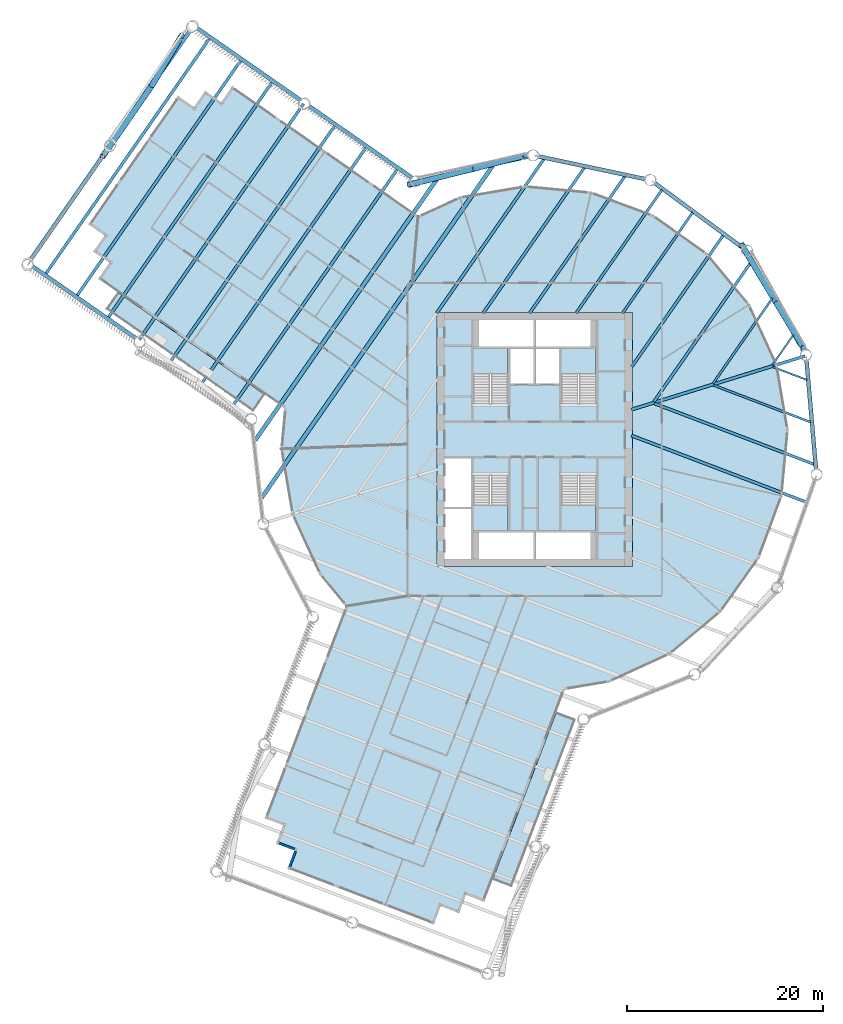
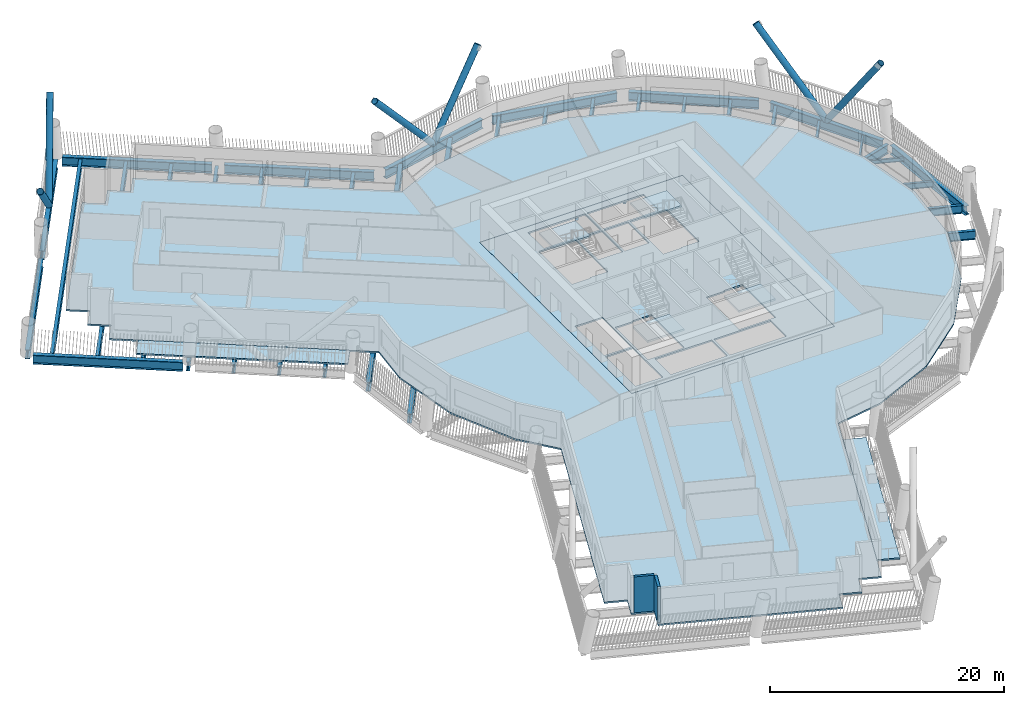
# One storey, part 2 of 23: 33 beams, 8 slabs, 6 members, 2 walls, 4 elements without a shape of their own.
"""IFC4 building model written with IfcOpenShell, lengths in metres."""

from ifc_helpers import new_model, si_unit, direction, frame, frame_2d, origin, origin_2d, place, context, subcontext, project, spatial, polyline, rectangle, hollow_circle, i_section, outline, extrude, material, layer, layer_set, material_profile, profile_set, type_object, element, aggregate, save


model = new_model("IFC4")

# Units and contexts
model_context = context("Model", 3, precision=1e-05, world=origin(), true_north=direction((0.0, 1.0)))
body_context = subcontext(model_context, "Body", "Model", "MODEL_VIEW")
ifc_project = project(units=[si_unit("LENGTHUNIT", "METRE"), si_unit("AREAUNIT", "SQUARE_METRE"), si_unit("VOLUMEUNIT", "CUBIC_METRE"), si_unit("PLANEANGLEUNIT", "RADIAN"), si_unit("MASSUNIT", "GRAM", prefix="KILO")], contexts=[model_context])

# Site, building, storey
site_placement = place(None, origin())
site = spatial("IfcSite", under=ifc_project, at=site_placement, CompositionType="ELEMENT")
building_placement = place(site_placement, origin())
building = spatial("IfcBuilding", under=site, at=building_placement, Name="Tarsis Ring Headquarters", CompositionType="ELEMENT")
storey_placement = place(building_placement, frame((0.0, 0.0, 131.800048828125)))
storey = spatial("IfcBuildingStorey", under=building, at=storey_placement, Name="L30", CompositionType="ELEMENT", Elevation=131.800048828125)

# Beams
ifc_material_1 = material(Name="Structural steel S355", Category="steel")
ifc_material_profile_1 = material_profile(ifc_material_1, i_section(OverallWidth=0.177734375, OverallDepth=0.406494140625, WebThickness=0.0078125, FlangeThickness=0.0126953125, at=origin_2d()), Name="W16x40")
ifc_profile_set_1 = profile_set([ifc_material_profile_1], Name="Structural steel S355")
beam_type_1 = type_object("IfcBeamType", Name="FB Floor beam W16x40", PredefinedType="JOIST", material=ifc_profile_set_1)
for number, where, z_axis, x_axis, name in (
    (1, (24.352294921875, 7.421875, -0.36328125), (0.934591056354, -0.355723990452, 0.0), (0.355723990452, 0.934591056354, 0.0), "Floor beam FB1"),
    (2, (26.434814453125, 10.67138671875, -0.36328125), (-0.571257560437, -0.820770856966, 0.0), (0.820770856966, -0.571257560437, 0.0), "Floor beam FB1"),
):
    element("IfcBeam", number, at=place(storey_placement, frame(where, z_axis=z_axis, x_axis=x_axis)), inside=storey, type_object=beam_type_1, Name=name, PredefinedType="JOIST", context=body_context, shape_type="SweptSolid", body=[
        extrude(i_section(OverallWidth=0.177734375, OverallDepth=0.406494140625, WebThickness=0.0078125, FlangeThickness=0.0126953125, at=origin_2d()), origin(), (0.0, 0.0, 1.0), 3.74169921875),
    ])
ifc_material_profile_2 = material_profile(ifc_material_1, i_section(OverallWidth=0.228271484375, OverallDepth=0.607177734375, WebThickness=0.01123046875, FlangeThickness=0.017333984375, at=origin_2d()), Name="W24x76")
ifc_profile_set_2 = profile_set([ifc_material_profile_2], Name="Structural steel S355")
beam_type_2 = type_object("IfcBeamType", Name="FB Floor beam W24x76", PredefinedType="JOIST", material=ifc_profile_set_2)
for number, where, z_axis, x_axis, name in (
    (3, (18.2998046875, 5.552978515625, -0.463623046875), (0.934577647601, -0.355759217175, 0.0), (0.355759217175, 0.934577647601, 0.0), "Floor beam FB4"),
    (4, (24.3125, 14.44873046875, -0.463623046875), (-0.571297489001, -0.820743065192, 0.0), (0.820743065192, -0.571297489001, 0.0), "Floor beam FB4"),
):
    element("IfcBeam", number, at=place(storey_placement, frame(where, z_axis=z_axis, x_axis=x_axis)), inside=storey, type_object=beam_type_2, Name=name, PredefinedType="JOIST", context=body_context, shape_type="SweptSolid", body=[
        extrude(i_section(OverallWidth=0.228271484375, OverallDepth=0.607177734375, WebThickness=0.01123046875, FlangeThickness=0.017333984375, at=origin_2d()), origin(), (0.0, 0.0, 1.0), 10.62109375),
    ])
ifc_material_profile_3 = material_profile(ifc_material_1, i_section(OverallWidth=0.2529296875, OverallDepth=0.67822265625, WebThickness=0.01171875, FlangeThickness=0.016357421875, at=origin_2d()), Name="W27x84")
ifc_profile_set_3 = profile_set([ifc_material_profile_3], Name="Structural steel S355")
beam_type_3 = type_object("IfcBeamType", Name="FB Floor beam W27x84", PredefinedType="JOIST", material=ifc_profile_set_3)
beam_1_placement = place(storey_placement, frame((16.163330078125, 23.221435546875, -0.499267578125), z_axis=(-0.571292386981, -0.82074661655, 0.0), x_axis=(0.82074661655, -0.571292386981, 0.0)))
element("IfcBeam", 5, at=beam_1_placement, inside=storey, type_object=beam_type_3, Name="Floor beam FB5", PredefinedType="JOIST", context=body_context, shape_type="SweptSolid", body=[
    extrude(i_section(OverallWidth=0.2529296875, OverallDepth=0.67822265625, WebThickness=0.01171875, FlangeThickness=0.016357421875, at=origin_2d()), origin(), (0.0, 0.0, 1.0), 12.5537109375),
])
ifc_material_profile_4 = material_profile(ifc_material_1, i_section(OverallWidth=0.2666015625, OverallDepth=0.7568359375, WebThickness=0.013916015625, FlangeThickness=0.019287109375, at=origin_2d()), Name="W30x108")
ifc_profile_set_4 = profile_set([ifc_material_profile_4], Name="Structural steel S355")
beam_type_4 = type_object("IfcBeamType", Name="FB Floor beam W30x108", PredefinedType="JOIST", material=ifc_profile_set_4)
beam_2_placement = place(storey_placement, frame((13.020263671875, 25.532470703125, -0.53857421875), z_axis=(-0.571292983063, -0.820746201638, 0.0), x_axis=(0.820746201638, -0.571292983063, 0.0)))
element("IfcBeam", 6, at=beam_2_placement, inside=storey, type_object=beam_type_4, Name="Floor beam FB6", PredefinedType="JOIST", context=body_context, shape_type="SweptSolid", body=[
    extrude(i_section(OverallWidth=0.2666015625, OverallDepth=0.7568359375, WebThickness=0.013916015625, FlangeThickness=0.019287109375, at=origin_2d()), origin(), (0.0, 0.0, 1.0), 15.36962890625),
])
ifc_material_profile_5 = material_profile(ifc_material_1, i_section(OverallWidth=0.2919921875, OverallDepth=0.835693359375, WebThickness=0.013916015625, FlangeThickness=0.018798828125, at=origin_2d()), Name="W33x118")
ifc_profile_set_5 = profile_set([ifc_material_profile_5], Name="Structural steel S355")
beam_type_5 = type_object("IfcBeamType", Name="FB Floor beam W33x118", PredefinedType="JOIST", material=ifc_profile_set_5)
for number, where, z_axis, x_axis, name in (
    (7, (12.2470703125, 3.68408203125, -0.577880859375), (0.93457654615, -0.355762110667, 0.0), (0.355762110667, 0.93457654615, 0.0), "Floor beam FB7"),
    (8, (22.18994140625, 18.226318359375, -0.577880859375), (-0.571290087271, -0.820748217291, 0.0), (0.820748217291, -0.571290087271, 0.0), "Floor beam FB7"),
):
    element("IfcBeam", number, at=place(storey_placement, frame(where, z_axis=z_axis, x_axis=x_axis)), inside=storey, type_object=beam_type_5, Name=name, PredefinedType="JOIST", context=body_context, shape_type="SweptSolid", body=[
        extrude(i_section(OverallWidth=0.2919921875, OverallDepth=0.835693359375, WebThickness=0.013916015625, FlangeThickness=0.018798828125, at=origin_2d()), origin(), (0.0, 0.0, 1.0), 17.500732421875),
    ])
beam_3_placement = place(storey_placement, frame((19.306396484375, 20.910400390625, -0.577880859375), z_axis=(-0.571283990198, -0.820752461187, 0.0), x_axis=(0.820752461187, -0.571283990198, 0.0)))
element("IfcBeam", 9, at=beam_3_placement, inside=storey, type_object=beam_type_5, Name="Floor beam FB7", PredefinedType="JOIST", context=body_context, shape_type="SweptSolid", body=[
    extrude(i_section(OverallWidth=0.2919921875, OverallDepth=0.835693359375, WebThickness=0.013916015625, FlangeThickness=0.018798828125, at=origin_2d()), origin(), (0.0, 0.0, 1.0), 16.390380859375),
])
beam_4_placement = place(storey_placement, frame((9.249755859375, 26.942138671875, -0.577880859375), z_axis=(-0.571292200885, -0.820746746084, 0.0), x_axis=(0.820746746084, -0.571292200885, 0.0)))
element("IfcBeam", 10, at=beam_4_placement, inside=storey, type_object=beam_type_5, Name="Floor beam FB7", PredefinedType="JOIST", context=body_context, shape_type="SweptSolid", body=[
    extrude(i_section(OverallWidth=0.2919921875, OverallDepth=0.835693359375, WebThickness=0.013916015625, FlangeThickness=0.018798828125, at=origin_2d()), origin(), (0.0, 0.0, 1.0), 17.087158203125),
])
beam_5_placement = place(storey_placement, frame((5.109619140625, 27.821044921875, -0.577880859375), z_axis=(-0.571284682225, -0.820751979501, 0.0), x_axis=(0.820751979501, -0.571284682225, 0.0)))
element("IfcBeam", 11, at=beam_5_placement, inside=storey, type_object=beam_type_5, Name="Floor beam FB7", PredefinedType="JOIST", context=body_context, shape_type="SweptSolid", body=[
    extrude(i_section(OverallWidth=0.2919921875, OverallDepth=0.835693359375, WebThickness=0.013916015625, FlangeThickness=0.018798828125, at=origin_2d()), origin(), (0.0, 0.0, 1.0), 18.15771484375),
])
ifc_material_profile_6 = material_profile(ifc_material_1, i_section(OverallWidth=0.3046875, OverallDepth=0.904296875, WebThickness=0.01513671875, FlangeThickness=0.02001953125, at=origin_2d()), Name="W36x135")
ifc_profile_set_6 = profile_set([ifc_material_profile_6], Name="Structural steel S355")
beam_type_6 = type_object("IfcBeamType", Name="FB Floor beam W36x135", PredefinedType="JOIST", material=ifc_profile_set_6)
beam_6_placement = place(storey_placement, frame((9.906494140625, 0.40185546875, -0.612060546875), z_axis=(0.934581572103, -0.355748907357, 0.0), x_axis=(0.355748907357, 0.934581572103, 0.0)))
element("IfcBeam", 12, at=beam_6_placement, inside=storey, type_object=beam_type_6, Name="Floor beam FB8", PredefinedType="JOIST", context=body_context, shape_type="SweptSolid", body=[
    extrude(i_section(OverallWidth=0.3046875, OverallDepth=0.904296875, WebThickness=0.01513671875, FlangeThickness=0.02001953125, at=origin_2d()), origin(), (0.0, 0.0, 1.0), 19.076416015625),
])
beam_7_placement = place(storey_placement, frame((0.969482421875, 28.69970703125, -0.612060546875), z_axis=(-0.571283954186, -0.820752486253, 0.0), x_axis=(0.820752486253, -0.571283954186, 0.0)))
element("IfcBeam", 13, at=beam_7_placement, inside=storey, type_object=beam_type_6, Name="Floor beam FB8", PredefinedType="JOIST", context=body_context, shape_type="SweptSolid", body=[
    extrude(i_section(OverallWidth=0.3046875, OverallDepth=0.904296875, WebThickness=0.01513671875, FlangeThickness=0.02001953125, at=origin_2d()), origin(), (0.0, 0.0, 1.0), 19.228271484375),
])
ifc_material_profile_7 = material_profile(ifc_material_1, i_section(OverallWidth=0.309814453125, OverallDepth=0.949951171875, WebThickness=0.0244140625, FlangeThickness=0.0439453125, at=origin_2d()), Name="W36x256")
ifc_profile_set_7 = profile_set([ifc_material_profile_7], Name="Structural steel S355")
beam_type_7 = type_object("IfcBeamType", Name="FB Floor beam W36x256", PredefinedType="JOIST", material=ifc_profile_set_7)
for number, where, z_axis, x_axis, name in (
    (14, (-14.015380859375, 27.651123046875, -0.635009765625), (-0.57129336067, -0.820745938798, 0.0), (0.820745938798, -0.57129336067, 0.0), "Floor beam FB11"),
    (15, (-17.21630859375, 29.879150390625, -0.635009765625), (-0.57129336067, -0.820745938798, 0.0), (0.820745938798, -0.57129336067, 0.0), "Floor beam FB11"),
    (16, (-20.417236328125, 32.107177734375, -0.635009765625), (-0.57129336067, -0.820745938798, 0.0), (0.820745938798, -0.57129336067, 0.0), "Floor beam FB11"),
    (17, (-23.6181640625, 34.335205078125, -0.635009765625), (-0.57129336067, -0.820745938798, 0.0), (0.820745938798, -0.57129336067, 0.0), "Floor beam FB11"),
    (18, (-26.819091796875, 36.563232421875, -0.635009765625), (-0.57129336067, -0.820745938798, 0.0), (0.820745938798, -0.57129336067, 0.0), "Floor beam FB11"),
    (19, (-30.02001953125, 38.791259765625, -0.635009765625), (-0.57129336067, -0.820745938798, 0.0), (0.820745938798, -0.57129336067, 0.0), "Floor beam FB11"),
    (20, (-33.220947265625, 41.019287109375, -0.635009765625), (-0.57129336067, -0.820745938798, 0.0), (0.820745938798, -0.57129336067, 0.0), "Floor beam FB11"),
):
    element("IfcBeam", number, at=place(storey_placement, frame(where, z_axis=z_axis, x_axis=x_axis)), inside=storey, type_object=beam_type_7, Name=name, PredefinedType="JOIST", context=body_context, shape_type="SweptSolid", body=[
        extrude(i_section(OverallWidth=0.309814453125, OverallDepth=0.949951171875, WebThickness=0.0244140625, FlangeThickness=0.0439453125, at=origin_2d()), origin(), (0.0, 0.0, 1.0), 29.375732421875),
    ])
beam_type_8 = type_object("IfcBeamType", Name="FB Floor beam W36x256 spine", PredefinedType="BEAM", material=ifc_profile_set_7)
beam_8_placement = place(storey_placement, frame((27.6435546875, 8.535888671875, -0.635009765625), z_axis=(-0.95548510435, -0.295039345452, 0.0), x_axis=(0.295039345452, -0.95548510435, 0.0)))
element("IfcBeam", 21, at=beam_8_placement, inside=storey, type_object=beam_type_8, Name="Floor beam SB11", PredefinedType="BEAM", context=body_context, shape_type="SweptSolid", body=[
    extrude(i_section(OverallWidth=0.309814453125, OverallDepth=0.949951171875, WebThickness=0.0244140625, FlangeThickness=0.0439453125, at=origin_2d()), origin(), (0.0, 0.0, 1.0), 18.5654296875),
])
ifc_material_profile_8 = material_profile(ifc_material_1, i_section(OverallWidth=0.42431640625, OverallDepth=0.947509765625, WebThickness=0.02392578125, FlangeThickness=0.042724609375, at=origin_2d()), Name="W36x302")
ifc_profile_set_8 = profile_set([ifc_material_profile_8], Name="Structural steel S355")
beam_type_9 = type_object("IfcBeamType", Name="FB Floor beam W36x302", PredefinedType="JOIST", material=ifc_profile_set_8)
beam_9_placement = place(storey_placement, frame((-4.280517578125, 27.983642578125, -0.6337890625), z_axis=(-0.571288992476, -0.820748979332, 0.0), x_axis=(0.820748979332, -0.571288992476, 0.0)))
element("IfcBeam", 22, at=beam_9_placement, inside=storey, type_object=beam_type_9, Name="Floor beam FB12", PredefinedType="JOIST", context=body_context, shape_type="SweptSolid", body=[
    extrude(i_section(OverallWidth=0.42431640625, OverallDepth=0.947509765625, WebThickness=0.02392578125, FlangeThickness=0.042724609375, at=origin_2d()), origin(), (0.0, 0.0, 1.0), 41.35302734375),
])
beam_10_placement = place(storey_placement, frame((-9.887451171875, 26.755126953125, -0.6337890625), z_axis=(-0.571289967098, -0.820748300939, 0.0), x_axis=(0.820748300939, -0.571289967098, 0.0)))
element("IfcBeam", 23, at=beam_10_placement, inside=storey, type_object=beam_type_9, Name="Floor beam FB12", PredefinedType="JOIST", context=body_context, shape_type="SweptSolid", body=[
    extrude(i_section(OverallWidth=0.42431640625, OverallDepth=0.947509765625, WebThickness=0.02392578125, FlangeThickness=0.042724609375, at=origin_2d()), origin(), (0.0, 0.0, 1.0), 32.70458984375),
])

# Members
ifc_material_profile_9 = material_profile(ifc_material_1, hollow_circle(Radius=0.3046875, WallThickness=0.02490234375, at=origin_2d()), Name="CHS 610x25")
ifc_profile_set_9 = profile_set([ifc_material_profile_9], Name="Structural steel S355")
member_type = type_object("IfcMemberType", Name="XD X brace CHS 610x25", PredefinedType="BRACE", material=ifc_profile_set_9)
member_1_placement = place(storey_placement, frame((24.75537109375, 13.90966796875, 0.0), z_axis=(-0.341923192131, 0.571094420304, 0.746283923035), x_axis=(-0.857978678484, -0.513685299835, 0.0)))
element("IfcMember", 24, at=member_1_placement, inside=storey, type_object=member_type, Name="X brace XD1", PredefinedType="BRACE", context=body_context, shape_type="SweptSolid", body=[
    extrude(hollow_circle(Radius=0.3046875, WallThickness=0.02490234375, at=origin_2d()), origin(), (0.0, 0.0, 1.0), 10.451904296875),
])
member_2_placement = place(storey_placement, frame((24.75537109375, 13.90966796875, 0.0), z_axis=(0.290357774908, -0.480501969876, 0.827532609325), x_axis=(0.85587257145, 0.51718675683, 0.0)))
element("IfcMember", 25, at=member_2_placement, inside=storey, type_object=member_type, Name="X brace XD1", PredefinedType="BRACE", context=body_context, shape_type="SweptSolid", body=[
    extrude(hollow_circle(Radius=0.3046875, WallThickness=0.02490234375, at=origin_2d()), origin(), (0.0, 0.0, 1.0), 9.42578125),
])
member_3_placement = place(storey_placement, frame((-6.07763671875, 27.737548828125, 0.0), z_axis=(-0.646015288274, -0.160335874266, 0.746295286559), x_axis=(0.240883800972, -0.970553962657, 0.0)))
element("IfcMember", 26, at=member_3_placement, inside=storey, type_object=member_type, Name="X brace XD1", PredefinedType="BRACE", context=body_context, shape_type="SweptSolid", body=[
    extrude(hollow_circle(Radius=0.3046875, WallThickness=0.02490234375, at=origin_2d()), origin(), (0.0, 0.0, 1.0), 10.45166015625),
])
member_4_placement = place(storey_placement, frame((-6.07763671875, 27.737548828125, 0.0), z_axis=(0.54436183456, 0.137456737689, 0.827511835769), x_axis=(-0.244825293169, 0.969567210576, 0.0)))
element("IfcMember", 27, at=member_4_placement, inside=storey, type_object=member_type, Name="X brace XD1", PredefinedType="BRACE", context=body_context, shape_type="SweptSolid", body=[
    extrude(hollow_circle(Radius=0.3046875, WallThickness=0.02490234375, at=origin_2d()), origin(), (0.0, 0.0, 1.0), 9.426025390625),
])
member_5_placement = place(storey_placement, frame((-39.108154296875, 36.237548828125, 0.0), z_axis=(-0.432551139039, -0.62470818834, 0.650107061596), x_axis=(0.822154708352, -0.569264117554, 0.0)))
element("IfcMember", 28, at=member_5_placement, inside=storey, type_object=member_type, Name="X brace XD1", PredefinedType="BRACE", context=body_context, shape_type="SweptSolid", body=[
    extrude(hollow_circle(Radius=0.3046875, WallThickness=0.02490234375, at=origin_2d()), origin(), (0.0, 0.0, 1.0), 11.72705078125),
])
member_6_placement = place(storey_placement, frame((-39.108154296875, 36.237548828125, 0.0), z_axis=(0.314513934682, 0.524772465067, 0.791008751404), x_axis=(-0.857744881531, 0.514075595809, 0.0)))
element("IfcMember", 29, at=member_6_placement, inside=storey, type_object=member_type, Name="X brace XD1", PredefinedType="BRACE", context=body_context, shape_type="SweptSolid", body=[
    extrude(hollow_circle(Radius=0.3046875, WallThickness=0.02490234375, at=origin_2d()), origin(), (0.0, 0.0, 1.0), 9.638671875),
])

# Beams
beam_type_10 = type_object("IfcBeamType", Name="XG Ring girder W36x302", PredefinedType="BEAM", material=ifc_profile_set_8)
beam_11_placement = place(storey_placement, frame((28.77490234375, -3.108154296875, -0.4736328125), z_axis=(-0.086974911217, 0.996210502263, 0.0), x_axis=(-0.996210502263, -0.086974911217, 0.0)))
element("IfcBeam", 30, at=beam_11_placement, inside=storey, type_object=beam_type_10, Name="Ring girder XG1", PredefinedType="BEAM", context=body_context, shape_type="SweptSolid", body=[
    extrude(i_section(OverallWidth=0.42431640625, OverallDepth=0.947509765625, WebThickness=0.02392578125, FlangeThickness=0.042724609375, at=origin_2d()), origin(), (0.0, 0.0, 1.0), 11.197265625),
])
beam_12_placement = place(storey_placement, frame((27.497802734375, 9.02880859375, -0.4736328125), z_axis=(-0.489854364134, 0.871804279606, 0.0), x_axis=(-0.871804279606, -0.489854364134, 0.0)))
element("IfcBeam", 31, at=beam_12_placement, inside=storey, type_object=beam_type_10, Name="Ring girder XG1", PredefinedType="BEAM", context=body_context, shape_type="SweptSolid", body=[
    extrude(i_section(OverallWidth=0.42431640625, OverallDepth=0.947509765625, WebThickness=0.02392578125, FlangeThickness=0.042724609375, at=origin_2d()), origin(), (0.0, 0.0, 1.0), 11.197509765625),
])
beam_13_placement = place(storey_placement, frame((21.33154296875, 19.560546875, -0.4736328125), z_axis=(-0.805652236895, 0.5923887855, 0.0), x_axis=(-0.5923887855, -0.805652236895, 0.0)))
element("IfcBeam", 32, at=beam_13_placement, inside=storey, type_object=beam_type_10, Name="Ring girder XG1", PredefinedType="BEAM", context=body_context, shape_type="SweptSolid", body=[
    extrude(i_section(OverallWidth=0.42431640625, OverallDepth=0.947509765625, WebThickness=0.02392578125, FlangeThickness=0.042724609375, at=origin_2d()), origin(), (0.0, 0.0, 1.0), 11.197021484375),
])
beam_14_placement = place(storey_placement, frame((11.37255859375, 26.6142578125, -0.4736328125), z_axis=(-0.978206757051, 0.207633187282, 0.0), x_axis=(-0.207633187282, -0.978206757051, 0.0)))
element("IfcBeam", 33, at=beam_14_placement, inside=storey, type_object=beam_type_10, Name="Ring girder XG1", PredefinedType="BEAM", context=body_context, shape_type="SweptSolid", body=[
    extrude(i_section(OverallWidth=0.42431640625, OverallDepth=0.947509765625, WebThickness=0.02392578125, FlangeThickness=0.042724609375, at=origin_2d()), origin(), (0.0, 0.0, 1.0), 11.197509765625),
])
beam_15_placement = place(storey_placement, frame((-0.608642578125, 28.935791015625, -0.4736328125), z_axis=(-0.976828129844, -0.214025243243, 0.0), x_axis=(0.214025243243, -0.976828129844, 0.0)))
element("IfcBeam", 34, at=beam_15_placement, inside=storey, type_object=beam_type_10, Name="Ring girder XG1", PredefinedType="BEAM", context=body_context, shape_type="SweptSolid", body=[
    extrude(i_section(OverallWidth=0.42431640625, OverallDepth=0.947509765625, WebThickness=0.02392578125, FlangeThickness=0.042724609375, at=origin_2d()), origin(), (0.0, 0.0, 1.0), 11.197265625),
])
for number, where, z_axis, x_axis, name in (
    (35, (-12.49169921875, 26.72705078125, -0.4736328125), (-0.820743695886, 0.571296582926, 0.0), (-0.571296582926, -0.820743695886, 0.0), "Ring girder XG1"),
    (36, (-23.90185546875, 34.669189453125, -0.4736328125), (-0.820743695886, 0.571296582926, 0.0), (-0.571296582926, -0.820743695886, 0.0), "Ring girder XG1"),
):
    element("IfcBeam", number, at=place(storey_placement, frame(where, z_axis=z_axis, x_axis=x_axis)), inside=storey, type_object=beam_type_10, Name=name, PredefinedType="BEAM", context=body_context, shape_type="SweptSolid", body=[
        extrude(i_section(OverallWidth=0.42431640625, OverallDepth=0.947509765625, WebThickness=0.02392578125, FlangeThickness=0.042724609375, at=origin_2d()), origin(), (0.0, 0.0, 1.0), 12.8505859375),
    ])
beam_16_placement = place(storey_placement, frame((-35.180908203125, 41.87939453125, -0.4736328125), z_axis=(-0.571287673037, -0.820749897737, 0.0), x_axis=(0.820749897737, -0.571287673037, 0.0)))
element("IfcBeam", 37, at=beam_16_placement, inside=storey, type_object=beam_type_10, Name="Ring girder XG1", PredefinedType="BEAM", context=body_context, shape_type="SweptSolid", body=[
    extrude(i_section(OverallWidth=0.42431640625, OverallDepth=0.947509765625, WebThickness=0.02392578125, FlangeThickness=0.042724609375, at=origin_2d()), origin(), (0.0, 0.0, 1.0), 13.748291015625),
])
beam_17_placement = place(storey_placement, frame((-43.635986328125, 29.732421875, -0.4736328125), z_axis=(-0.571279346754, -0.820755693232, 0.0), x_axis=(0.820755693232, -0.571279346754, 0.0)))
element("IfcBeam", 38, at=beam_17_placement, inside=storey, type_object=beam_type_10, Name="Ring girder XG1", PredefinedType="BEAM", context=body_context, shape_type="SweptSolid", body=[
    extrude(i_section(OverallWidth=0.42431640625, OverallDepth=0.947509765625, WebThickness=0.02392578125, FlangeThickness=0.042724609375, at=origin_2d()), origin(), (0.0, 0.0, 1.0), 13.74853515625),
])
beam_18_placement = place(storey_placement, frame((-51.359130859375, 17.716552734375, -0.4736328125), z_axis=(0.820743695886, -0.571296582926, 0.0), x_axis=(0.571296582926, 0.820743695886, 0.0)))
element("IfcBeam", 39, at=beam_18_placement, inside=storey, type_object=beam_type_10, Name="Ring girder XG1", PredefinedType="BEAM", context=body_context, shape_type="SweptSolid", body=[
    extrude(i_section(OverallWidth=0.42431640625, OverallDepth=0.947509765625, WebThickness=0.02392578125, FlangeThickness=0.042724609375, at=origin_2d()), origin(), (0.0, 0.0, 1.0), 12.8505859375),
])

# Slabs
ifc_material_2 = material(Name="Concrete C40/50", Category="concrete")
ifc_layer_1 = layer(ifc_material_2, 0.159912109375)
ifc_layer_set_1 = layer_set([ifc_layer_1], Name="Balcony slab concrete C40/50")
slab_type_1 = type_object("IfcSlabType", Name="Balcony slab concrete C40/50", PredefinedType="FLOOR", material=ifc_layer_set_1)
slab_1_placement = place(storey_placement, frame((0.0, 0.0, -0.16015625)))
element("IfcSlab", 40, at=slab_1_placement, inside=storey, type_object=slab_type_1, Name="Balcony slab L30-01", PredefinedType="FLOOR", context=body_context, shape_type="SweptSolid", body=[
    extrude(outline(polyline([(-42.55810546875, 15.001953125), (-43.70068359375, 13.3603515625), (-28.785888671875, 2.97900390625), (-27.643310546875, 4.62060546875), (-42.55810546875, 15.001953125)])), origin(), (0.0, 0.0, 1.0), 0.16015625),
])
slab_2_placement = place(storey_placement, frame((0.0, 0.0, -0.16015625)))
element("IfcSlab", 41, at=slab_2_placement, inside=storey, type_object=slab_type_1, Name="Balcony slab L30-16", PredefinedType="FLOOR", context=body_context, shape_type="SweptSolid", body=[
    extrude(outline(polyline([(-4.260498046875, -44.92333984375), (-2.391357421875, -45.634765625), (4.066162109375, -28.6708984375), (2.19677734375, -27.95947265625), (-4.260498046875, -44.92333984375)])), origin(), (0.0, 0.0, 1.0), 0.16015625),
])
ifc_layer_2 = layer(ifc_material_2, 0.159912109375)
ifc_layer_set_2 = layer_set([ifc_layer_2], Name="Core floor slab 160 C40/50")
slab_type_2 = type_object("IfcSlabType", Name="Core floor slab 160 C40/50", PredefinedType="FLOOR", material=ifc_layer_set_2)
slab_3_placement = place(storey_placement, frame((0.0, 0.0, -0.16015625)))
element("IfcSlab", 42, at=slab_3_placement, inside=storey, type_object=slab_type_2, Name="L30 core floor slab", PredefinedType="FLOOR", context=body_context, shape_type="SweptSolid", body=[
    extrude(outline(polyline([(-10.0, -13.0), (10.0, -13.0), (10.0, 13.0), (-10.0, 13.0), (-10.0, -13.0)]), holes=[polyline([(-2.5, 5.699951171875), (-0.10009765625, 5.699951171875), (-0.10009765625, 9.300048828125), (-2.5, 9.300048828125), (-2.5, 5.699951171875)]), polyline([(0.10009765625, 5.699951171875), (2.5, 5.699951171875), (2.5, 9.300048828125), (0.10009765625, 9.300048828125), (0.10009765625, 5.699951171875)]), polyline([(-9.199951171875, -12.199951171875), (-6.5, -12.199951171875), (-6.5, -7.10009765625), (-9.199951171875, -7.10009765625), (-9.199951171875, -12.199951171875)]), polyline([(-9.199951171875, -6.89990234375), (-6.5, -6.89990234375), (-6.5, -1.89990234375), (-9.199951171875, -1.89990234375), (-9.199951171875, -6.89990234375)]), polyline([(-5.699951171875, 9.5), (-0.10009765625, 9.5), (-0.10009765625, 12.199951171875), (-5.699951171875, 12.199951171875), (-5.699951171875, 9.5)]), polyline([(0.10009765625, 9.5), (5.699951171875, 9.5), (5.699951171875, 12.199951171875), (0.10009765625, 12.199951171875), (0.10009765625, 9.5)]), polyline([(-5.699951171875, -12.199951171875), (-0.10009765625, -12.199951171875), (-0.10009765625, -9.5), (-5.699951171875, -9.5), (-5.699951171875, -12.199951171875)]), polyline([(0.10009765625, -12.199951171875), (5.699951171875, -12.199951171875), (5.699951171875, -9.5), (0.10009765625, -9.5), (0.10009765625, -12.199951171875)]), polyline([(-2.699951171875, 3.760009765625), (-2.699951171875, 9.300048828125), (-6.300048828125, 9.300048828125), (-6.300048828125, 3.659912109375), (-4.4599609375, 3.659912109375), (-4.4599609375, 3.760009765625), (-2.699951171875, 3.760009765625)]), polyline([(6.300048828125, 3.760009765625), (6.300048828125, 9.300048828125), (2.699951171875, 9.300048828125), (2.699951171875, 3.659912109375), (4.5400390625, 3.659912109375), (4.5400390625, 3.760009765625), (6.300048828125, 3.760009765625)]), polyline([(-6.300048828125, -3.760009765625), (-6.300048828125, -9.300048828125), (-2.699951171875, -9.300048828125), (-2.699951171875, -3.659912109375), (-4.5400390625, -3.659912109375), (-4.5400390625, -3.760009765625), (-6.300048828125, -3.760009765625)]), polyline([(2.699951171875, -3.760009765625), (2.699951171875, -9.300048828125), (6.300048828125, -9.300048828125), (6.300048828125, -3.659912109375), (4.4599609375, -3.659912109375), (4.4599609375, -3.760009765625), (2.699951171875, -3.760009765625)])]), origin(), (0.0, 0.0, 1.0), 0.16015625),
])

# Stair, slab
ifc_material_3 = material(Name="Core stair 1760")
stair_type = type_object("IfcStairType", Name="Core stair 1760", PredefinedType="HALF_TURN_STAIR", material=ifc_material_3)
stair_1_placement = place(storey_placement, origin())
stair_1 = element("IfcStair", 43, at=stair_1_placement, inside=storey, type_object=stair_type, Name="L30 Firefighting stair", PredefinedType="HALF_TURN_STAIR")
ifc_layer_3 = layer(ifc_material_2, 0.199951171875)
ifc_layer_set_3 = layer_set([ifc_layer_3], Name="Core stair landing 200")
slab_type_3 = type_object("IfcSlabType", Name="Core stair landing 200", PredefinedType="LANDING", material=ifc_layer_set_3)
slab_4_placement = place(storey_placement, frame((0.0, 0.0, 1.75)))
slab_4 = element("IfcSlab", 44, at=slab_4_placement, type_object=slab_type_3, Name="Stair ST1 landing 1", PredefinedType="LANDING", context=body_context, shape_type="SweptSolid", body=[
    extrude(outline(polyline([(-2.699951171875, 6.739990234375), (-2.699951171875, 9.300048828125), (-6.300048828125, 9.300048828125), (-6.300048828125, 6.739990234375), (-2.699951171875, 6.739990234375)])), origin(), (0.0, 0.0, 1.0), 0.199951171875),
])
aggregate(stair_1, [slab_4])

stair_2_placement = place(storey_placement, origin())
stair_2 = element("IfcStair", 45, at=stair_2_placement, inside=storey, type_object=stair_type, Name="L30 Exit stair B", PredefinedType="HALF_TURN_STAIR")
slab_5_placement = place(storey_placement, frame((0.0, 0.0, 1.75)))
slab_5 = element("IfcSlab", 46, at=slab_5_placement, type_object=slab_type_3, Name="Stair ST2 landing 1", PredefinedType="LANDING", context=body_context, shape_type="SweptSolid", body=[
    extrude(outline(polyline([(6.300048828125, 6.739990234375), (6.300048828125, 9.300048828125), (2.699951171875, 9.300048828125), (2.699951171875, 6.739990234375), (6.300048828125, 6.739990234375)])), origin(), (0.0, 0.0, 1.0), 0.199951171875),
])
aggregate(stair_2, [slab_5])

stair_3_placement = place(storey_placement, origin())
stair_3 = element("IfcStair", 47, at=stair_3_placement, inside=storey, type_object=stair_type, Name="L30 Exit stair C", PredefinedType="HALF_TURN_STAIR")
slab_6_placement = place(storey_placement, frame((0.0, 0.0, 1.75)))
slab_6 = element("IfcSlab", 48, at=slab_6_placement, type_object=slab_type_3, Name="Stair ST3 landing 1", PredefinedType="LANDING", context=body_context, shape_type="SweptSolid", body=[
    extrude(outline(polyline([(-6.300048828125, -6.739990234375), (-6.300048828125, -9.300048828125), (-2.699951171875, -9.300048828125), (-2.699951171875, -6.739990234375), (-6.300048828125, -6.739990234375)])), origin(), (0.0, 0.0, 1.0), 0.199951171875),
])
aggregate(stair_3, [slab_6])

stair_4_placement = place(storey_placement, origin())
stair_4 = element("IfcStair", 49, at=stair_4_placement, inside=storey, type_object=stair_type, Name="L30 Exit stair D", PredefinedType="HALF_TURN_STAIR")
slab_7_placement = place(storey_placement, frame((0.0, 0.0, 1.75)))
slab_7 = element("IfcSlab", 50, at=slab_7_placement, type_object=slab_type_3, Name="Stair ST4 landing 1", PredefinedType="LANDING", context=body_context, shape_type="SweptSolid", body=[
    extrude(outline(polyline([(2.699951171875, -6.739990234375), (2.699951171875, -9.300048828125), (6.300048828125, -9.300048828125), (6.300048828125, -6.739990234375), (2.699951171875, -6.739990234375)])), origin(), (0.0, 0.0, 1.0), 0.199951171875),
])
aggregate(stair_4, [slab_7])

# Slab
ifc_material_4 = material(Name="Concrete C35/45", Category="concrete")
ifc_layer_4 = layer(ifc_material_4, 0.159912109375)
ifc_layer_set_4 = layer_set([ifc_layer_4], Name="FS Composite floor slab 160")
slab_type_4 = type_object("IfcSlabType", Name="FS Composite floor slab 160", PredefinedType="FLOOR", material=ifc_layer_set_4)
slab_8_placement = place(storey_placement, frame((0.0, 0.0, -0.16015625)))
element("IfcSlab", 51, at=slab_8_placement, inside=storey, type_object=slab_type_4, Name="Floor slab L30", PredefinedType="FLOOR", context=body_context, shape_type="SweptSolid", body=[
    extrude(outline(polyline([(-25.591552734375, 3.1923828125), (-25.9814453125, -0.97998046875), (-24.842529296875, -7.671142578125), (-22.0107421875, -13.83935546875), (-19.336181640625, -17.0654296875), (-27.579833984375, -38.721435546875), (-25.710693359375, -39.432861328125), (-26.422119140625, -41.30224609375), (-24.552978515625, -42.013671875), (-25.2646484375, -43.8828125), (-10.311279296875, -49.574951171875), (-9.599853515625, -47.705810546875), (-7.730712890625, -48.417236328125), (-7.01904296875, -46.548095703125), (-5.14990234375, -47.259765625), (3.086181640625, -25.623046875), (7.671142578125, -24.842529296875), (13.83935546875, -22.0107421875), (19.064697265625, -17.6787109375), (22.99072265625, -12.14208984375), (25.349853515625, -5.778076171875), (25.9814453125, 0.97998046875), (24.842529296875, 7.671142578125), (22.0107421875, 13.83935546875), (17.6787109375, 19.064697265625), (12.14208984375, 22.99072265625), (5.778076171875, 25.349853515625), (-0.97998046875, 25.9814453125), (-7.671142578125, 24.842529296875), (-11.897705078125, 22.902099609375), (-30.899169921875, 36.128173828125), (-32.041748046875, 34.486572265625), (-33.68310546875, 35.629150390625), (-34.82568359375, 33.98779296875), (-36.46728515625, 35.13037109375), (-45.60791015625, 21.998291015625), (-43.96630859375, 20.855712890625), (-45.10888671875, 19.21435546875), (-43.46728515625, 18.07177734375), (-44.60986328125, 16.43017578125), (-25.591552734375, 3.1923828125)]), holes=[polyline([(-10.0, -13.0), (-10.0, 13.0), (10.0, 13.0), (10.0, -13.0), (-10.0, -13.0)])]), origin(), (0.0, 0.0, 1.0), 0.16015625),
])

# Walls
ifc_material_5 = material(Name="Terracotta clad insulated panel wall", Category="masonry")
ifc_layer_5 = layer(ifc_material_5, 0.25)
ifc_layer_set_5 = layer_set([ifc_layer_5], Name="Facade wall terracotta panel 250")
wall_type = type_object("IfcWallType", Name="Facade wall terracotta panel 250", PredefinedType="STANDARD", material=ifc_layer_set_5)
for number, where, z_axis, x_axis, name in (
    (52, (-26.14404296875, -41.274169921875, 0.0), (0.0, 0.0, 1.0), (0.934580525959, -0.35575165565, 0.0), "External wall L30-09"),
    (53, (-24.436279296875, -42.05810546875, 0.0), (0.0, 0.0, 1.0), (-0.35575165565, -0.934580525959, 0.0), "External wall L30-10"),
):
    element("IfcWall", number, at=place(storey_placement, frame(where, z_axis=z_axis, x_axis=x_axis)), inside=storey, type_object=wall_type, Name=name, PredefinedType="STANDARD", context=body_context, shape_type="SweptSolid", body=[
        extrude(rectangle(XDim=1.75, YDim=0.25, at=frame_2d((0.875, 0.0))), origin(), (0.0, 0.0, 1.0), 3.739990234375),
    ])

save(model, "model.ifc")
